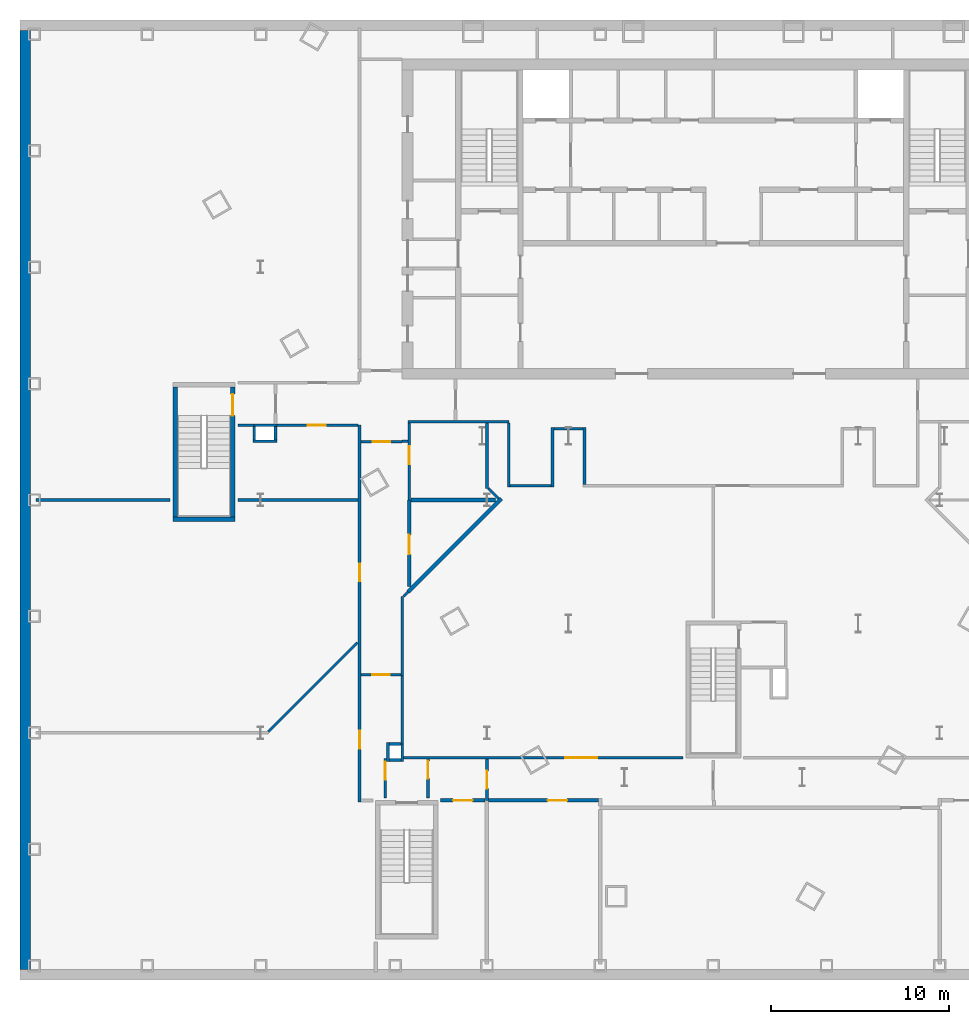
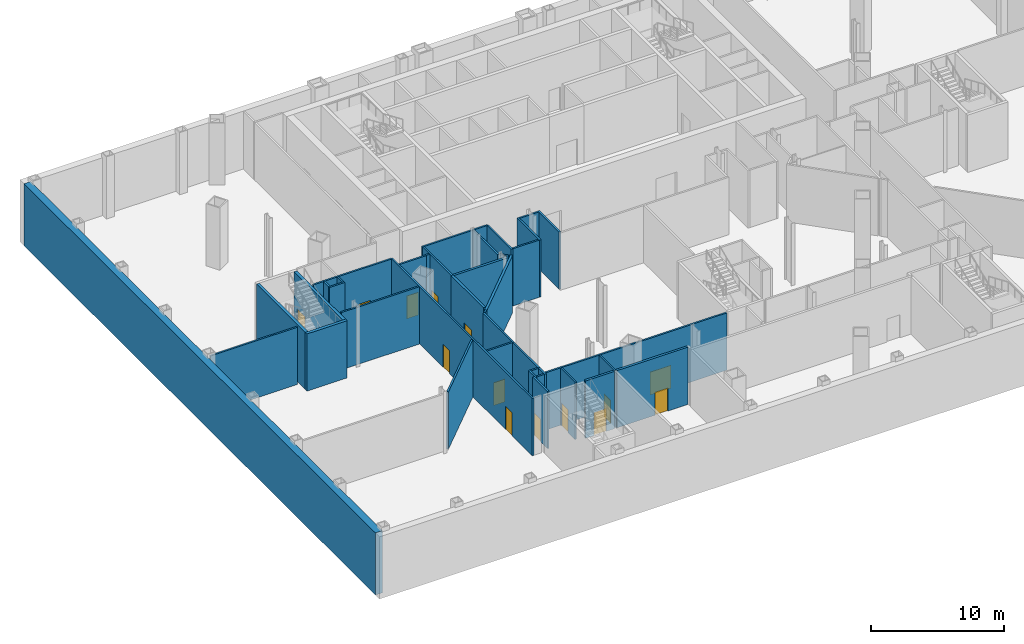
# One storey, part 5 of 17: 42 walls, 14 doors, 14 openings.
"""IFC4 building model written with IfcOpenShell, lengths in metres."""

from ifc_helpers import new_model, si_unit, direction, frame, frame_2d, origin, place, context, subcontext, project, spatial, rectangle, extrude, material, layer, layer_set, type_object, element, fill, save


model = new_model("IFC4")

# Units and contexts
model_context = context("Model", 3, precision=1e-05, world=origin(), true_north=direction((0.0, 1.0)))
body_context = subcontext(model_context, "Body", "Model", "MODEL_VIEW")
ifc_project = project(units=[si_unit("LENGTHUNIT", "METRE"), si_unit("AREAUNIT", "SQUARE_METRE"), si_unit("VOLUMEUNIT", "CUBIC_METRE"), si_unit("PLANEANGLEUNIT", "RADIAN"), si_unit("MASSUNIT", "GRAM", prefix="KILO")], contexts=[model_context])

# Site, building, storey
site_placement = place(None, origin())
site = spatial("IfcSite", under=ifc_project, at=site_placement, CompositionType="ELEMENT")
building_placement = place(site_placement, origin())
building = spatial("IfcBuilding", under=site, at=building_placement, Name="Njiva Tower", CompositionType="ELEMENT")
storey_placement = place(building_placement, frame((0.0, 0.0, -11.4)))
storey = spatial("IfcBuildingStorey", under=building, at=storey_placement, Name="B2", CompositionType="ELEMENT", Elevation=-11.4)

# Walls
ifc_material_1 = material(Name="Gypsum board on steel studs", Category="gypsum")
ifc_layer_1 = layer(ifc_material_1, 0.15)
ifc_layer_set_1 = layer_set([ifc_layer_1], Name="Gypsum board on steel studs")
wall_type_1 = type_object("IfcWallType", Name="WT21 Compartment wall 150", PredefinedType="PARTITIONING", material=ifc_layer_set_1)
wall_1_placement = place(storey_placement, frame((-38.1, -6.8, 0.0), z_axis=(0.0, 0.0, 1.0), x_axis=(1.0, 0.0, 0.0)))
element("IfcWall", 1, at=wall_1_placement, inside=storey, type_object=wall_type_1, Name="Partition B2-P002", PredefinedType="PARTITIONING", context=body_context, shape_type="SweptSolid", body=[
    extrude(rectangle(XDim=7.55, YDim=0.15, at=frame_2d((3.775, 0.0))), origin(), (0.0, 0.0, 1.0), 5.25),
])
wall_2_placement = place(storey_placement, frame((-26.75, -6.8, 0.0), z_axis=(0.0, 0.0, 1.0), x_axis=(1.0, 0.0, 0.0)))
element("IfcWall", 2, at=wall_2_placement, inside=storey, type_object=wall_type_1, Name="Partition B2-P003", PredefinedType="PARTITIONING", context=body_context, shape_type="SweptSolid", body=[
    extrude(rectangle(XDim=6.775, YDim=0.15, at=frame_2d((3.3875, 0.0))), origin(), (0.0, 0.0, 1.0), 5.25),
])
wall_3_placement = place(storey_placement, frame((-26.75, -2.6, 0.0), z_axis=(0.0, 0.0, 1.0), x_axis=(1.0, 0.0, 0.0)))
element("IfcWall", 3, at=wall_3_placement, inside=storey, type_object=wall_type_1, Name="Partition B2-P004", PredefinedType="PARTITIONING", context=body_context, shape_type="SweptSolid", body=[
    extrude(rectangle(XDim=0.913, YDim=0.15, at=frame_2d((0.4565, 0.0))), origin(), (0.0, 0.0, 1.0), 5.25),
])
wall_4_placement = place(storey_placement, frame((-25.026, -19.825, 0.0), z_axis=(0.0, 0.0, 1.0), x_axis=(0.707106781187, 0.707106781187, 0.0)))
element("IfcWall", 4, at=wall_4_placement, inside=storey, type_object=wall_type_1, Name="Partition B2-P009", PredefinedType="PARTITIONING", context=body_context, shape_type="SweptSolid", body=[
    extrude(rectangle(XDim=7.0682, YDim=0.15, at=frame_2d((3.5341, 0.0))), origin(), (0.0, 0.0, 1.0), 5.25),
])

# Wall, opening, door
wall_5_placement = place(storey_placement, frame((-24.55, -2.6, 0.0), z_axis=(0.0, 0.0, 1.0), x_axis=(1.0, 0.0, 0.0)))
wall_5 = element("IfcWall", 5, at=wall_5_placement, inside=storey, type_object=wall_type_1, Name="Partition B2-P012", PredefinedType="PARTITIONING", context=body_context, shape_type="SweptSolid", body=[
    extrude(rectangle(XDim=4.575, YDim=0.15, at=frame_2d((2.2875, 0.0))), origin(), (0.0, 0.0, 1.0), 5.25),
])
opening_1_placement = place(wall_5_placement, frame((1.736, 0.0, 0.0)))
opening_1 = element("IfcOpeningElement", 6, at=opening_1_placement, cuts=wall_5, Name="Opening B2-D003", PredefinedType="OPENING", context=body_context, shape_type="SweptSolid", body=[
    extrude(rectangle(XDim=1.0, YDim=2.1, at=frame_2d((0.5, 1.05))), frame((0.0, 0.085, 0.0), z_axis=(0.0, -1.0, 0.0), x_axis=(1.0, 0.0, 0.0)), (0.0, 0.0, 1.0), 0.17),
])
ifc_material_2 = material(Name="Steel fire door set", Category="steel")
door_type_1 = type_object("IfcDoorType", Name="D37 Fire door 1000x2100", OperationType="SINGLE_SWING_LEFT", PredefinedType="DOOR", material=ifc_material_2)
door_1_placement = place(opening_1_placement, origin())
door_1 = element("IfcDoor", 7, at=door_1_placement, inside=storey, type_object=door_type_1, Name="Door B2-D003", OperationType="SINGLE_SWING_LEFT", OverallHeight=2.1, OverallWidth=1.0, PredefinedType="DOOR", context=body_context, shape_type="SweptSolid", body=[
    extrude(rectangle(XDim=1.0, YDim=2.1, at=frame_2d((0.5, 1.05))), frame((0.0, 0.025, 0.0), z_axis=(0.0, -1.0, 0.0), x_axis=(1.0, 0.0, 0.0)), (0.0, 0.0, 1.0), 0.05),
])
fill(opening_1, door_1)

# Wall, openings, doors
wall_6_placement = place(storey_placement, frame((-19.9, -23.775, 0.0), z_axis=(0.0, 0.0, 1.0), x_axis=(0.0, 1.0, 0.0)))
wall_6 = element("IfcWall", 8, at=wall_6_placement, inside=storey, type_object=wall_type_1, Name="Partition B2-P014", PredefinedType="PARTITIONING", context=body_context, shape_type="SweptSolid", body=[
    extrude(rectangle(XDim=21.187, YDim=0.15, at=frame_2d((10.5935, 0.0))), origin(), (0.0, 0.0, 1.0), 5.25),
])
opening_2_placement = place(wall_6_placement, frame((2.993, 0.0, 0.0)))
opening_2 = element("IfcOpeningElement", 9, at=opening_2_placement, cuts=wall_6, Name="Opening B2-D004", PredefinedType="OPENING", context=body_context, shape_type="SweptSolid", body=[
    extrude(rectangle(XDim=1.0, YDim=2.1, at=frame_2d((0.5, 1.05))), frame((0.0, 0.085, 0.0), z_axis=(0.0, -1.0, 0.0), x_axis=(1.0, 0.0, 0.0)), (0.0, 0.0, 1.0), 0.17),
])
opening_3_placement = place(wall_6_placement, frame((12.399, 0.0, 0.0)))
opening_3 = element("IfcOpeningElement", 10, at=opening_3_placement, cuts=wall_6, Name="Opening B2-D005", PredefinedType="OPENING", context=body_context, shape_type="SweptSolid", body=[
    extrude(rectangle(XDim=1.0, YDim=2.1, at=frame_2d((0.5, 1.05))), frame((0.0, 0.085, 0.0), z_axis=(0.0, -1.0, 0.0), x_axis=(1.0, 0.0, 0.0)), (0.0, 0.0, 1.0), 0.17),
])
door_2_placement = place(opening_2_placement, origin())
door_2 = element("IfcDoor", 11, at=door_2_placement, inside=storey, type_object=door_type_1, Name="Door B2-D004", OperationType="SINGLE_SWING_RIGHT", OverallHeight=2.1, OverallWidth=1.0, PredefinedType="DOOR", context=body_context, shape_type="SweptSolid", body=[
    extrude(rectangle(XDim=1.0, YDim=2.1, at=frame_2d((0.5, 1.05))), frame((0.0, 0.025, 0.0), z_axis=(0.0, -1.0, 0.0), x_axis=(1.0, 0.0, 0.0)), (0.0, 0.0, 1.0), 0.05),
])
fill(opening_2, door_2)
door_3_placement = place(opening_3_placement, origin())
door_3 = element("IfcDoor", 12, at=door_3_placement, inside=storey, type_object=door_type_1, Name="Door B2-D005", OperationType="SINGLE_SWING_LEFT", OverallHeight=2.1, OverallWidth=1.0, PredefinedType="DOOR", context=body_context, shape_type="SweptSolid", body=[
    extrude(rectangle(XDim=1.0, YDim=2.1, at=frame_2d((0.5, 1.05))), frame((0.0, 0.025, 0.0), z_axis=(0.0, -1.0, 0.0), x_axis=(1.0, 0.0, 0.0)), (0.0, 0.0, 1.0), 0.05),
])
fill(opening_3, door_3)

# Wall, opening, door
wall_7_placement = place(storey_placement, frame((-19.825, -16.625, 0.0), z_axis=(0.0, 0.0, 1.0), x_axis=(1.0, 0.0, 0.0)))
wall_7 = element("IfcWall", 13, at=wall_7_placement, inside=storey, type_object=wall_type_1, Name="Partition B2-P021", PredefinedType="PARTITIONING", context=body_context, shape_type="SweptSolid", body=[
    extrude(rectangle(XDim=2.25, YDim=0.15, at=frame_2d((1.125, 0.0))), origin(), (0.0, 0.0, 1.0), 5.25),
])
opening_4_placement = place(wall_7_placement, frame((0.625, 0.0, 0.0)))
opening_4 = element("IfcOpeningElement", 14, at=opening_4_placement, cuts=wall_7, Name="Opening B2-D007", PredefinedType="OPENING", context=body_context, shape_type="SweptSolid", body=[
    extrude(rectangle(XDim=1.0, YDim=2.1, at=frame_2d((0.5, 1.05))), frame((0.0, 0.085, 0.0), z_axis=(0.0, -1.0, 0.0), x_axis=(1.0, 0.0, 0.0)), (0.0, 0.0, 1.0), 0.17),
])
door_4_placement = place(opening_4_placement, origin())
door_4 = element("IfcDoor", 15, at=door_4_placement, inside=storey, type_object=door_type_1, Name="Door B2-D007", OperationType="SINGLE_SWING_RIGHT", OverallHeight=2.1, OverallWidth=1.0, PredefinedType="DOOR", context=body_context, shape_type="SweptSolid", body=[
    extrude(rectangle(XDim=1.0, YDim=2.1, at=frame_2d((0.5, 1.05))), frame((0.0, 0.025, 0.0), z_axis=(0.0, -1.0, 0.0), x_axis=(1.0, 0.0, 0.0)), (0.0, 0.0, 1.0), 0.05),
])
fill(opening_4, door_4)

wall_8_placement = place(storey_placement, frame((-19.825, -3.525, 0.0), z_axis=(0.0, 0.0, 1.0), x_axis=(1.0, 0.0, 0.0)))
wall_8 = element("IfcWall", 16, at=wall_8_placement, inside=storey, type_object=wall_type_1, Name="Partition B2-P022", PredefinedType="PARTITIONING", context=body_context, shape_type="SweptSolid", body=[
    extrude(rectangle(XDim=2.325, YDim=0.15, at=frame_2d((1.1625, 0.0))), origin(), (0.0, 0.0, 1.0), 5.25),
])
opening_5_placement = place(wall_8_placement, frame((0.662, 0.0, 0.0)))
opening_5 = element("IfcOpeningElement", 17, at=opening_5_placement, cuts=wall_8, Name="Opening B2-D008", PredefinedType="OPENING", context=body_context, shape_type="SweptSolid", body=[
    extrude(rectangle(XDim=1.0, YDim=2.1, at=frame_2d((0.5, 1.05))), frame((0.0, 0.085, 0.0), z_axis=(0.0, -1.0, 0.0), x_axis=(1.0, 0.0, 0.0)), (0.0, 0.0, 1.0), 0.17),
])
door_5_placement = place(opening_5_placement, origin())
door_5 = element("IfcDoor", 18, at=door_5_placement, inside=storey, type_object=door_type_1, Name="Door B2-D008", OperationType="SINGLE_SWING_RIGHT", OverallHeight=2.1, OverallWidth=1.0, PredefinedType="DOOR", context=body_context, shape_type="SweptSolid", body=[
    extrude(rectangle(XDim=1.0, YDim=2.1, at=frame_2d((0.5, 1.05))), frame((0.0, 0.025, 0.0), z_axis=(0.0, -1.0, 0.0), x_axis=(1.0, 0.0, 0.0)), (0.0, 0.0, 1.0), 0.05),
])
fill(opening_5, door_5)

wall_9_placement = place(storey_placement, frame((-18.45, -23.55, 0.0), z_axis=(0.0, 0.0, 1.0), x_axis=(0.0, 1.0, 0.0)))
wall_9 = element("IfcWall", 19, at=wall_9_placement, inside=storey, type_object=wall_type_1, Name="Partition B2-P024", PredefinedType="PARTITIONING", context=body_context, shape_type="SweptSolid", body=[
    extrude(rectangle(XDim=2.2, YDim=0.15, at=frame_2d((1.1, 0.0))), origin(), (0.0, 0.0, 1.0), 5.25),
])
opening_6_placement = place(wall_9_placement, frame((1.013, 0.0, 0.0)))
opening_6 = element("IfcOpeningElement", 20, at=opening_6_placement, cuts=wall_9, Name="Opening B2-D009", PredefinedType="OPENING", context=body_context, shape_type="SweptSolid", body=[
    extrude(rectangle(XDim=1.0, YDim=2.1, at=frame_2d((0.5, 1.05))), frame((0.0, 0.085, 0.0), z_axis=(0.0, -1.0, 0.0), x_axis=(1.0, 0.0, 0.0)), (0.0, 0.0, 1.0), 0.17),
])
ifc_material_3 = material(Name="Glazed steel fire door", Category="steel")
door_type_2 = type_object("IfcDoorType", Name="D41 Glazed fire door 1000x2100", OperationType="SINGLE_SWING_LEFT", PredefinedType="DOOR", material=ifc_material_3)
door_6_placement = place(opening_6_placement, origin())
door_6 = element("IfcDoor", 21, at=door_6_placement, inside=storey, type_object=door_type_2, Name="Door B2-D009", OperationType="SINGLE_SWING_RIGHT", OverallHeight=2.1, OverallWidth=1.0, PredefinedType="DOOR", context=body_context, shape_type="SweptSolid", body=[
    extrude(rectangle(XDim=1.0, YDim=2.1, at=frame_2d((0.5, 1.05))), frame((0.0, 0.025, 0.0), z_axis=(0.0, -1.0, 0.0), x_axis=(1.0, 0.0, 0.0)), (0.0, 0.0, 1.0), 0.05),
])
fill(opening_6, door_6)

# Walls
wall_10_placement = place(storey_placement, frame((-17.5, -16.7, 0.0), z_axis=(0.0, 0.0, 1.0), x_axis=(0.0, 1.0, 0.0)))
element("IfcWall", 22, at=wall_10_placement, inside=storey, type_object=wall_type_1, Name="Partition B2-P029", PredefinedType="PARTITIONING", context=body_context, shape_type="SweptSolid", body=[
    extrude(rectangle(XDim=4.475, YDim=0.15, at=frame_2d((2.2375, 0.0))), origin(), (0.0, 0.0, 1.0), 5.25),
])
wall_11_placement = place(storey_placement, frame((-17.5, -3.5, 0.0), z_axis=(0.0, 0.0, 1.0), x_axis=(1.0, 0.0, 0.0)))
element("IfcWall", 23, at=wall_11_placement, inside=storey, type_object=wall_type_1, Name="Partition B2-P030", PredefinedType="PARTITIONING", context=body_context, shape_type="SweptSolid", body=[
    extrude(rectangle(XDim=0.325, YDim=0.15, at=frame_2d((0.1625, 0.0))), origin(), (0.0, 0.0, 1.0), 5.25),
])
wall_12_placement = place(storey_placement, frame((-17.5, -16.7, 0.0), z_axis=(0.0, 0.0, 1.0), x_axis=(0.000262260678, -0.99999996561, 0.0)))
element("IfcWall", 24, at=wall_12_placement, inside=storey, type_object=wall_type_1, Name="Partition B2-P031", PredefinedType="PARTITIONING", context=body_context, shape_type="SweptSolid", body=[
    extrude(rectangle(XDim=3.813, YDim=0.15, at=frame_2d((1.9065, 0.0))), origin(), (0.0, 0.0, 1.0), 5.25),
])
wall_13_placement = place(storey_placement, frame((-17.425, -12.225, 0.0), z_axis=(0.0, 0.0, 1.0), x_axis=(0.707106781187, 0.707106781187, 0.0)))
element("IfcWall", 25, at=wall_13_placement, inside=storey, type_object=wall_type_1, Name="Partition B2-P032", PredefinedType="PARTITIONING", context=body_context, shape_type="SweptSolid", body=[
    extrude(rectangle(XDim=0.3592, YDim=0.15, at=frame_2d((0.1796, 0.0))), origin(), (0.0, 0.0, 1.0), 5.25),
])

# Wall, opening, door
wall_14_placement = place(storey_placement, frame((-17.425, -21.3, 0.0), z_axis=(0.0, 0.0, 1.0), x_axis=(1.0, 0.0, 0.0)))
wall_14 = element("IfcWall", 26, at=wall_14_placement, inside=storey, type_object=wall_type_1, Name="Partition B2-P033", PredefinedType="PARTITIONING", context=body_context, shape_type="SweptSolid", body=[
    extrude(rectangle(XDim=15.725, YDim=0.15, at=frame_2d((7.8625, 0.0))), origin(), (0.0, 0.0, 1.0), 5.25),
])
opening_7_placement = place(wall_14_placement, frame((9.103, 0.0, 0.0)))
opening_7 = element("IfcOpeningElement", 27, at=opening_7_placement, cuts=wall_14, Name="Opening B2-D010", PredefinedType="OPENING", context=body_context, shape_type="SweptSolid", body=[
    extrude(rectangle(XDim=1.8, YDim=2.1, at=frame_2d((0.9, 1.05))), frame((0.0, 0.085, 0.0), z_axis=(0.0, -1.0, 0.0), x_axis=(1.0, 0.0, 0.0)), (0.0, 0.0, 1.0), 0.17),
])
door_type_3 = type_object("IfcDoorType", Name="D38 Fire door 1800x2100", OperationType="DOUBLE_DOOR_SINGLE_SWING", PredefinedType="DOOR", material=ifc_material_2)
door_7_placement = place(opening_7_placement, origin())
door_7 = element("IfcDoor", 28, at=door_7_placement, inside=storey, type_object=door_type_3, Name="Door B2-D010", OperationType="DOUBLE_DOOR_SINGLE_SWING", OverallHeight=2.1, OverallWidth=1.8, PredefinedType="DOOR", context=body_context, shape_type="SweptSolid", body=[
    extrude(rectangle(XDim=1.8, YDim=2.1, at=frame_2d((0.9, 1.05))), frame((0.0, 0.025, 0.0), z_axis=(0.0, -1.0, 0.0), x_axis=(1.0, 0.0, 0.0)), (0.0, 0.0, 1.0), 0.05),
])
fill(opening_7, door_7)

# Wall
wall_15_placement = place(storey_placement, frame((-17.175, -2.4, 0.0), z_axis=(0.0, 0.0, 1.0), x_axis=(1.0, 0.0, 0.0)))
element("IfcWall", 29, at=wall_15_placement, inside=storey, type_object=wall_type_1, Name="Partition B2-P034", PredefinedType="PARTITIONING", context=body_context, shape_type="SweptSolid", body=[
    extrude(rectangle(XDim=5.675, YDim=0.15, at=frame_2d((2.8375, 0.0))), origin(), (0.0, 0.0, 1.0), 5.25),
])

# Wall, opening, door
wall_16_placement = place(storey_placement, frame((-17.1, -6.788, 0.0), z_axis=(0.0, 0.0, 1.0), x_axis=(0.0, 1.0, 0.0)))
wall_16 = element("IfcWall", 30, at=wall_16_placement, inside=storey, type_object=wall_type_1, Name="Partition B2-P037", PredefinedType="PARTITIONING", context=body_context, shape_type="SweptSolid", body=[
    extrude(rectangle(XDim=4.313, YDim=0.15, at=frame_2d((2.1565, 0.0))), origin(), (0.0, 0.0, 1.0), 5.25),
])
opening_8_placement = place(wall_16_placement, frame((2.0, 0.0, 0.0)))
opening_8 = element("IfcOpeningElement", 31, at=opening_8_placement, cuts=wall_16, Name="Opening B2-D012", PredefinedType="OPENING", context=body_context, shape_type="SweptSolid", body=[
    extrude(rectangle(XDim=1.0, YDim=2.1, at=frame_2d((0.5, 1.05))), frame((0.0, 0.085, 0.0), z_axis=(0.0, -1.0, 0.0), x_axis=(1.0, 0.0, 0.0)), (0.0, 0.0, 1.0), 0.17),
])
door_8_placement = place(opening_8_placement, origin())
door_8 = element("IfcDoor", 32, at=door_8_placement, inside=storey, type_object=door_type_1, Name="Door B2-D012", OperationType="SINGLE_SWING_RIGHT", OverallHeight=2.1, OverallWidth=1.0, PredefinedType="DOOR", context=body_context, shape_type="SweptSolid", body=[
    extrude(rectangle(XDim=1.0, YDim=2.1, at=frame_2d((0.5, 1.05))), frame((0.0, 0.025, 0.0), z_axis=(0.0, -1.0, 0.0), x_axis=(1.0, 0.0, 0.0)), (0.0, 0.0, 1.0), 0.05),
])
fill(opening_8, door_8)

wall_17_placement = place(storey_placement, frame((-16.05, -23.55, 0.0), z_axis=(0.0, 0.0, 1.0), x_axis=(0.0, 1.0, 0.0)))
wall_17 = element("IfcWall", 33, at=wall_17_placement, inside=storey, type_object=wall_type_1, Name="Partition B2-P039", PredefinedType="PARTITIONING", context=body_context, shape_type="SweptSolid", body=[
    extrude(rectangle(XDim=2.175, YDim=0.15, at=frame_2d((1.0875, 0.0))), origin(), (0.0, 0.0, 1.0), 5.25),
])
opening_9_placement = place(wall_17_placement, frame((1.075, 0.0, 0.0)))
opening_9 = element("IfcOpeningElement", 34, at=opening_9_placement, cuts=wall_17, Name="Opening B2-D013", PredefinedType="OPENING", context=body_context, shape_type="SweptSolid", body=[
    extrude(rectangle(XDim=1.0, YDim=2.1, at=frame_2d((0.5, 1.05))), frame((0.0, 0.085, 0.0), z_axis=(0.0, -1.0, 0.0), x_axis=(1.0, 0.0, 0.0)), (0.0, 0.0, 1.0), 0.17),
])
door_9_placement = place(opening_9_placement, origin())
door_9 = element("IfcDoor", 35, at=door_9_placement, inside=storey, type_object=door_type_2, Name="Door B2-D013", OperationType="SINGLE_SWING_LEFT", OverallHeight=2.1, OverallWidth=1.0, PredefinedType="DOOR", context=body_context, shape_type="SweptSolid", body=[
    extrude(rectangle(XDim=1.0, YDim=2.1, at=frame_2d((0.5, 1.05))), frame((0.0, 0.025, 0.0), z_axis=(0.0, -1.0, 0.0), x_axis=(1.0, 0.0, 0.0)), (0.0, 0.0, 1.0), 0.05),
])
fill(opening_9, door_9)

# Wall
wall_18_placement = place(storey_placement, frame((-12.733, -6.142, 0.0), z_axis=(0.0, 0.0, 1.0), x_axis=(0.0, 1.0, 0.0)))
element("IfcWall", 36, at=wall_18_placement, inside=storey, type_object=wall_type_1, Name="Partition B2-P043", PredefinedType="PARTITIONING", context=body_context, shape_type="SweptSolid", body=[
    extrude(rectangle(XDim=3.667, YDim=0.15, at=frame_2d((1.8335, 0.0))), origin(), (0.0, 0.0, 1.0), 5.25),
])

# Wall, opening, door
wall_19_placement = place(storey_placement, frame((-12.73, -23.699, 0.0), z_axis=(0.0, 0.0, 1.0), x_axis=(0.0, 1.0, 0.0)))
wall_19 = element("IfcWall", 37, at=wall_19_placement, inside=storey, type_object=wall_type_1, Name="Partition B2-P044", PredefinedType="PARTITIONING", context=body_context, shape_type="SweptSolid", body=[
    extrude(rectangle(XDim=2.324, YDim=0.15, at=frame_2d((1.162, 0.0))), origin(), (0.0, 0.0, 1.0), 5.25),
])
opening_10_placement = place(wall_19_placement, frame((0.662, 0.0, 0.0)))
opening_10 = element("IfcOpeningElement", 38, at=opening_10_placement, cuts=wall_19, Name="Opening B2-D016", PredefinedType="OPENING", context=body_context, shape_type="SweptSolid", body=[
    extrude(rectangle(XDim=1.0, YDim=2.1, at=frame_2d((0.5, 1.05))), frame((0.0, 0.085, 0.0), z_axis=(0.0, -1.0, 0.0), x_axis=(1.0, 0.0, 0.0)), (0.0, 0.0, 1.0), 0.17),
])
door_10_placement = place(opening_10_placement, origin())
door_10 = element("IfcDoor", 39, at=door_10_placement, inside=storey, type_object=door_type_1, Name="Door B2-D016", OperationType="SINGLE_SWING_RIGHT", OverallHeight=2.1, OverallWidth=1.0, PredefinedType="DOOR", context=body_context, shape_type="SweptSolid", body=[
    extrude(rectangle(XDim=1.0, YDim=2.1, at=frame_2d((0.5, 1.05))), frame((0.0, 0.025, 0.0), z_axis=(0.0, -1.0, 0.0), x_axis=(1.0, 0.0, 0.0)), (0.0, 0.0, 1.0), 0.05),
])
fill(opening_10, door_10)

# Walls
wall_20_placement = place(storey_placement, frame((-12.658, -6.142, 0.0), z_axis=(0.0, 0.0, 1.0), x_axis=(0.706504732317, -0.707708317892, 0.0)))
element("IfcWall", 40, at=wall_20_placement, inside=storey, type_object=wall_type_1, Name="Partition B2-P045", PredefinedType="PARTITIONING", context=body_context, shape_type="SweptSolid", body=[
    extrude(rectangle(XDim=0.8309, YDim=0.15, at=frame_2d((0.4154, 0.0))), origin(), (0.0, 0.0, 1.0), 5.25),
])
wall_21_placement = place(storey_placement, frame((-11.5, -6.075, 0.0), z_axis=(0.0, 0.0, 1.0), x_axis=(0.0, 1.0, 0.0)))
element("IfcWall", 41, at=wall_21_placement, inside=storey, type_object=wall_type_1, Name="Partition B2-P047", PredefinedType="PARTITIONING", context=body_context, shape_type="SweptSolid", body=[
    extrude(rectangle(XDim=3.6, YDim=0.15, at=frame_2d((1.8, 0.0))), origin(), (0.0, 0.0, 1.0), 5.25),
])
wall_22_placement = place(storey_placement, frame((-11.425, -6.0, 0.0), z_axis=(0.0, 0.0, 1.0), x_axis=(1.0, 0.0, 0.0)))
element("IfcWall", 42, at=wall_22_placement, inside=storey, type_object=wall_type_1, Name="Partition B2-P048", PredefinedType="PARTITIONING", context=body_context, shape_type="SweptSolid", body=[
    extrude(rectangle(XDim=2.3, YDim=0.15, at=frame_2d((1.15, 0.0))), origin(), (0.0, 0.0, 1.0), 5.25),
])
wall_23_placement = place(storey_placement, frame((-9.05, -6.075, 0.0), z_axis=(0.0, 0.0, 1.0), x_axis=(0.0, 1.0, 0.0)))
element("IfcWall", 43, at=wall_23_placement, inside=storey, type_object=wall_type_1, Name="Partition B2-P050", PredefinedType="PARTITIONING", context=body_context, shape_type="SweptSolid", body=[
    extrude(rectangle(XDim=3.35, YDim=0.15, at=frame_2d((1.675, 0.0))), origin(), (0.0, 0.0, 1.0), 5.25),
])
wall_24_placement = place(storey_placement, frame((-8.975, -2.8, 0.0), z_axis=(0.0, 0.0, 1.0), x_axis=(1.0, 0.0, 0.0)))
element("IfcWall", 44, at=wall_24_placement, inside=storey, type_object=wall_type_1, Name="Partition B2-P051", PredefinedType="PARTITIONING", context=body_context, shape_type="SweptSolid", body=[
    extrude(rectangle(XDim=1.65, YDim=0.15, at=frame_2d((0.825, 0.0))), origin(), (0.0, 0.0, 1.0), 5.25),
])
wall_25_placement = place(storey_placement, frame((-7.25, -5.925, 0.0), z_axis=(0.0, 0.0, 1.0), x_axis=(0.0, 1.0, 0.0)))
element("IfcWall", 45, at=wall_25_placement, inside=storey, type_object=wall_type_1, Name="Partition B2-P053", PredefinedType="PARTITIONING", context=body_context, shape_type="SweptSolid", body=[
    extrude(rectangle(XDim=3.2, YDim=0.15, at=frame_2d((1.6, 0.0))), origin(), (0.0, 0.0, 1.0), 5.25),
])
ifc_material_4 = material(Name="Blockwork", Category="masonry")
ifc_layer_2 = layer(ifc_material_4, 0.2)
ifc_layer_set_2 = layer_set([ifc_layer_2], Name="Blockwork")
wall_type_2 = type_object("IfcWallType", Name="WT22 Plant room wall 200", PredefinedType="PARTITIONING", material=ifc_layer_set_2)
wall_26_placement = place(storey_placement, frame((-17.171, -11.971, 0.0), z_axis=(0.0, 0.0, 1.0), x_axis=(0.707106781187, 0.707106781187, 0.0)))
element("IfcWall", 46, at=wall_26_placement, inside=storey, type_object=wall_type_2, Name="Partition B2-P035", PredefinedType="PARTITIONING", context=body_context, shape_type="SweptSolid", body=[
    extrude(rectangle(XDim=7.4133, YDim=0.2, at=frame_2d((3.7066, 0.0))), origin(), (0.0, 0.0, 1.0), 5.25),
])

# Wall, opening, door
wall_27_placement = place(storey_placement, frame((-17.1, -11.659, 0.0), z_axis=(0.0, 0.0, 1.0), x_axis=(0.0, 1.0, 0.0)))
wall_27 = element("IfcWall", 47, at=wall_27_placement, inside=storey, type_object=wall_type_2, Name="Partition B2-P036", PredefinedType="PARTITIONING", context=body_context, shape_type="SweptSolid", body=[
    extrude(rectangle(XDim=4.871, YDim=0.2, at=frame_2d((2.4355, 0.0))), origin(), (0.0, 0.0, 1.0), 5.25),
])
opening_11_placement = place(wall_27_placement, frame((1.804, 0.0, 0.0)))
opening_11 = element("IfcOpeningElement", 48, at=opening_11_placement, cuts=wall_27, Name="Opening B2-D011", PredefinedType="OPENING", context=body_context, shape_type="SweptSolid", body=[
    extrude(rectangle(XDim=1.1, YDim=2.1, at=frame_2d((0.55, 1.05))), frame((0.0, 0.11, 0.0), z_axis=(0.0, -1.0, 0.0), x_axis=(1.0, 0.0, 0.0)), (0.0, 0.0, 1.0), 0.22),
])
ifc_material_5 = material(Name="Steel door set", Category="steel")
door_type_4 = type_object("IfcDoorType", Name="D34 Plant door 1100x2100", OperationType="SINGLE_SWING_LEFT", PredefinedType="DOOR", material=ifc_material_5)
door_11_placement = place(opening_11_placement, origin())
door_11 = element("IfcDoor", 49, at=door_11_placement, inside=storey, type_object=door_type_4, Name="Door B2-D011", OperationType="SINGLE_SWING_LEFT", OverallHeight=2.1, OverallWidth=1.1, PredefinedType="DOOR", context=body_context, shape_type="SweptSolid", body=[
    extrude(rectangle(XDim=1.1, YDim=2.1, at=frame_2d((0.55, 1.05))), frame((0.0, 0.025, 0.0), z_axis=(0.0, -1.0, 0.0), x_axis=(1.0, 0.0, 0.0)), (0.0, 0.0, 1.0), 0.05),
])
fill(opening_11, door_11)

# Wall
wall_28_placement = place(storey_placement, frame((-17.0, -6.799, 0.0), z_axis=(0.0, 0.0, 1.0), x_axis=(0.999999977923, -0.000210128174, 0.0)))
element("IfcWall", 50, at=wall_28_placement, inside=storey, type_object=wall_type_2, Name="Partition B2-P038", PredefinedType="PARTITIONING", context=body_context, shape_type="SweptSolid", body=[
    extrude(rectangle(XDim=4.759, YDim=0.2, at=frame_2d((2.3795, 0.0))), origin(), (0.0, 0.0, 1.0), 5.25),
])

# Wall, opening, door
wall_29_placement = place(storey_placement, frame((-15.35, -23.7, 0.0), z_axis=(0.0, 0.0, 1.0), x_axis=(1.0, 0.0, 0.0)))
wall_29 = element("IfcWall", 51, at=wall_29_placement, inside=storey, type_object=wall_type_2, Name="Partition B2-P040", PredefinedType="PARTITIONING", context=body_context, shape_type="SweptSolid", body=[
    extrude(rectangle(XDim=2.517, YDim=0.2, at=frame_2d((1.2585, 0.0))), origin(), (0.0, 0.0, 1.0), 5.25),
])
opening_12_placement = place(wall_29_placement, frame((0.708, 0.0, 0.0)))
opening_12 = element("IfcOpeningElement", 52, at=opening_12_placement, cuts=wall_29, Name="Opening B2-D014", PredefinedType="OPENING", context=body_context, shape_type="SweptSolid", body=[
    extrude(rectangle(XDim=1.1, YDim=2.1, at=frame_2d((0.55, 1.05))), frame((0.0, 0.11, 0.0), z_axis=(0.0, -1.0, 0.0), x_axis=(1.0, 0.0, 0.0)), (0.0, 0.0, 1.0), 0.22),
])
door_12_placement = place(opening_12_placement, origin())
door_12 = element("IfcDoor", 53, at=door_12_placement, inside=storey, type_object=door_type_4, Name="Door B2-D014", OperationType="SINGLE_SWING_LEFT", OverallHeight=2.1, OverallWidth=1.1, PredefinedType="DOOR", context=body_context, shape_type="SweptSolid", body=[
    extrude(rectangle(XDim=1.1, YDim=2.1, at=frame_2d((0.55, 1.05))), frame((0.0, 0.025, 0.0), z_axis=(0.0, -1.0, 0.0), x_axis=(1.0, 0.0, 0.0)), (0.0, 0.0, 1.0), 0.05),
])
fill(opening_12, door_12)

wall_30_placement = place(storey_placement, frame((-12.633, -23.7, 0.0), z_axis=(0.0, 0.0, 1.0), x_axis=(1.0, 0.0, 0.0)))
wall_30 = element("IfcWall", 54, at=wall_30_placement, inside=storey, type_object=wall_type_2, Name="Partition B2-P046", PredefinedType="PARTITIONING", context=body_context, shape_type="SweptSolid", body=[
    extrude(rectangle(XDim=6.166, YDim=0.2, at=frame_2d((3.083, 0.0))), origin(), (0.0, 0.0, 1.0), 5.25),
])
opening_13_placement = place(wall_30_placement, frame((3.311, 0.0, 0.0)))
opening_13 = element("IfcOpeningElement", 55, at=opening_13_placement, cuts=wall_30, Name="Opening B2-D017", PredefinedType="OPENING", context=body_context, shape_type="SweptSolid", body=[
    extrude(rectangle(XDim=1.1, YDim=2.1, at=frame_2d((0.55, 1.05))), frame((0.0, 0.11, 0.0), z_axis=(0.0, -1.0, 0.0), x_axis=(1.0, 0.0, 0.0)), (0.0, 0.0, 1.0), 0.22),
])
door_13_placement = place(opening_13_placement, origin())
door_13 = element("IfcDoor", 56, at=door_13_placement, inside=storey, type_object=door_type_4, Name="Door B2-D017", OperationType="SINGLE_SWING_RIGHT", OverallHeight=2.1, OverallWidth=1.1, PredefinedType="DOOR", context=body_context, shape_type="SweptSolid", body=[
    extrude(rectangle(XDim=1.1, YDim=2.1, at=frame_2d((0.55, 1.05))), frame((0.0, 0.025, 0.0), z_axis=(0.0, -1.0, 0.0), x_axis=(1.0, 0.0, 0.0)), (0.0, 0.0, 1.0), 0.05),
])
fill(opening_13, door_13)

# Walls
ifc_layer_3 = layer(ifc_material_1, 0.15)
ifc_layer_set_3 = layer_set([ifc_layer_3], Name="Gypsum board on steel studs")
wall_type_3 = type_object("IfcWallType", Name="WT24 Riser room wall 150", PredefinedType="PARTITIONING", material=ifc_layer_set_3)
wall_31_placement = place(storey_placement, frame((-25.9, -3.5, 0.0), z_axis=(0.0, 0.0, 1.0), x_axis=(1.0, 0.0, 0.0)))
element("IfcWall", 57, at=wall_31_placement, inside=storey, type_object=wall_type_3, Name="Partition B2-P006", PredefinedType="PARTITIONING", context=body_context, shape_type="SweptSolid", body=[
    extrude(rectangle(XDim=1.35, YDim=0.15, at=frame_2d((0.675, 0.0))), origin(), (0.0, 0.0, 1.0), 5.25),
])
wall_32_placement = place(storey_placement, frame((-25.837, -2.6, 0.0), z_axis=(0.0, 0.0, 1.0), x_axis=(1.0, 0.0, 0.0)))
element("IfcWall", 58, at=wall_32_placement, inside=storey, type_object=wall_type_3, Name="Partition B2-P007", PredefinedType="PARTITIONING", context=body_context, shape_type="SweptSolid", body=[
    extrude(rectangle(XDim=1.287, YDim=0.15, at=frame_2d((0.6435, 0.0))), origin(), (0.0, 0.0, 1.0), 5.25),
])
for number, where, z_axis, x_axis, name in (
    (59, (-25.825, -3.425, 0.0), (0.0, 0.0, 1.0), (0.0, 1.0, 0.0), "Partition B2-P008"),
    (60, (-24.625, -3.425, 0.0), (0.0, 0.0, 1.0), (0.0, 1.0, 0.0), "Partition B2-P010"),
):
    element("IfcWall", number, at=place(storey_placement, frame(where, z_axis=z_axis, x_axis=x_axis)), inside=storey, type_object=wall_type_3, Name=name, PredefinedType="PARTITIONING", context=body_context, shape_type="SweptSolid", body=[
        extrude(rectangle(XDim=0.75, YDim=0.15, at=frame_2d((0.375, 0.0))), origin(), (0.0, 0.0, 1.0), 5.25),
    ])
wall_33_placement = place(storey_placement, frame((-18.3, -21.5, 0.0), z_axis=(0.0, 0.0, 1.0), x_axis=(0.0, 1.0, 0.0)))
element("IfcWall", 61, at=wall_33_placement, inside=storey, type_object=wall_type_3, Name="Partition B2-P025", PredefinedType="PARTITIONING", context=body_context, shape_type="SweptSolid", body=[
    extrude(rectangle(XDim=1.05, YDim=0.15, at=frame_2d((0.525, 0.0))), origin(), (0.0, 0.0, 1.0), 5.25),
])
wall_34_placement = place(storey_placement, frame((-18.225, -21.425, 0.0), z_axis=(0.0, 0.0, 1.0), x_axis=(1.0, 0.0, 0.0)))
element("IfcWall", 62, at=wall_34_placement, inside=storey, type_object=wall_type_3, Name="Partition B2-P026", PredefinedType="PARTITIONING", context=body_context, shape_type="SweptSolid", body=[
    extrude(rectangle(XDim=0.65, YDim=0.15, at=frame_2d((0.325, 0.0))), origin(), (0.0, 0.0, 1.0), 5.25),
])
wall_35_placement = place(storey_placement, frame((-18.225, -20.525, 0.0), z_axis=(0.0, 0.0, 1.0), x_axis=(1.0, 0.0, 0.0)))
element("IfcWall", 63, at=wall_35_placement, inside=storey, type_object=wall_type_3, Name="Partition B2-P027", PredefinedType="PARTITIONING", context=body_context, shape_type="SweptSolid", body=[
    extrude(rectangle(XDim=0.651, YDim=0.15, at=frame_2d((0.3255, 0.0))), origin(), (0.0, 0.0, 1.0), 5.25),
])
wall_36_placement = place(storey_placement, frame((-17.5, -21.5, 0.0), z_axis=(0.0, 0.0, 1.0), x_axis=(0.001013170706, 0.999999486742, 0.0)))
element("IfcWall", 64, at=wall_36_placement, inside=storey, type_object=wall_type_3, Name="Partition B2-P028", PredefinedType="PARTITIONING", context=body_context, shape_type="SweptSolid", body=[
    extrude(rectangle(XDim=0.987, YDim=0.15, at=frame_2d((0.4935, 0.0))), origin(), (0.0, 0.0, 1.0), 5.25),
])
ifc_material_6 = material(Name="Concrete C40/50", Category="concrete")
ifc_layer_4 = layer(ifc_material_6, 0.25)
ifc_layer_set_4 = layer_set([ifc_layer_4], Name="Concrete C40/50")
wall_type_4 = type_object("IfcWallType", Name="WT9 Stair enclosure wall 250", PredefinedType="SHEAR", material=ifc_layer_set_4)
wall_37_placement = place(storey_placement, frame((-30.275, -7.75, 0.0), z_axis=(0.0, 0.0, 1.0), x_axis=(0.0, 1.0, 0.0)))
element("IfcWall", 65, at=wall_37_placement, inside=storey, type_object=wall_type_4, Name="Stair F wall west", PredefinedType="SHEAR", context=body_context, shape_type="SweptSolid", body=[
    extrude(rectangle(XDim=7.3, YDim=0.25, at=frame_2d((3.65, 0.0))), origin(), (0.0, 0.0, 1.0), 5.25),
])

# Wall, opening, door
wall_38_placement = place(storey_placement, frame((-27.025, -7.75, 0.0), z_axis=(0.0, 0.0, 1.0), x_axis=(0.0, 1.0, 0.0)))
wall_38 = element("IfcWall", 66, at=wall_38_placement, inside=storey, type_object=wall_type_4, Name="Stair F wall east", PredefinedType="SHEAR", context=body_context, shape_type="SweptSolid", body=[
    extrude(rectangle(XDim=7.3, YDim=0.25, at=frame_2d((3.65, 0.0))), origin(), (0.0, 0.0, 1.0), 5.25),
])
opening_14_placement = place(wall_38_placement, frame((5.7, 0.0, 0.0)))
opening_14 = element("IfcOpeningElement", 67, at=opening_14_placement, cuts=wall_38, Name="Opening B2-D940", PredefinedType="OPENING", context=body_context, shape_type="SweptSolid", body=[
    extrude(rectangle(XDim=1.2, YDim=2.1, at=frame_2d((0.6, 1.05))), frame((0.0, 0.135, 0.0), z_axis=(0.0, -1.0, 0.0), x_axis=(1.0, 0.0, 0.0)), (0.0, 0.0, 1.0), 0.27),
])
ifc_material_7 = material(Name="Steel door, painted", Category="steel")
door_type_5 = type_object("IfcDoorType", Name="D1 Stair door 1200x2100", OperationType="SINGLE_SWING_LEFT", PredefinedType="DOOR", material=ifc_material_7)
door_14_placement = place(opening_14_placement, origin())
door_14 = element("IfcDoor", 68, at=door_14_placement, inside=storey, type_object=door_type_5, Name="Stair F door", OperationType="SINGLE_SWING_LEFT", OverallHeight=2.1, OverallWidth=1.2, PredefinedType="DOOR", context=body_context, shape_type="SweptSolid", body=[
    extrude(rectangle(XDim=1.2, YDim=2.1, at=frame_2d((0.6, 1.05))), frame((0.0, 0.025, 0.0), z_axis=(0.0, -1.0, 0.0), x_axis=(1.0, 0.0, 0.0)), (0.0, 0.0, 1.0), 0.05),
])
fill(opening_14, door_14)

# Walls
wall_39_placement = place(storey_placement, frame((-30.4, -7.875, 0.0), z_axis=(0.0, 0.0, 1.0), x_axis=(1.0, 0.0, 0.0)))
element("IfcWall", 69, at=wall_39_placement, inside=storey, type_object=wall_type_4, Name="Stair F wall south", PredefinedType="SHEAR", context=body_context, shape_type="SweptSolid", body=[
    extrude(rectangle(XDim=3.5, YDim=0.25, at=frame_2d((1.75, 0.0))), origin(), (0.0, 0.0, 1.0), 5.25),
])
ifc_layer_5 = layer(ifc_material_6, 0.6)
ifc_layer_set_5 = layer_set([ifc_layer_5], Name="Concrete C40/50")
wall_type_5 = type_object("IfcWallType", Name="WT93 Basement retaining wall 600", PredefinedType="STANDARD", material=ifc_layer_set_5)
wall_40_placement = place(storey_placement, frame((-38.7, -33.2, -0.4), z_axis=(0.0, 0.0, 1.0), x_axis=(0.0, 1.0, 0.0)))
element("IfcWall", 70, at=wall_40_placement, inside=storey, type_object=wall_type_5, Name="Basement retaining wall", PredefinedType="STANDARD", context=body_context, shape_type="SweptSolid", body=[
    extrude(rectangle(XDim=52.8, YDim=0.6, at=frame_2d((26.4, 0.0))), origin(), (0.0, 0.0, 1.0), 5.7),
])

save(model, "model.ifc")
